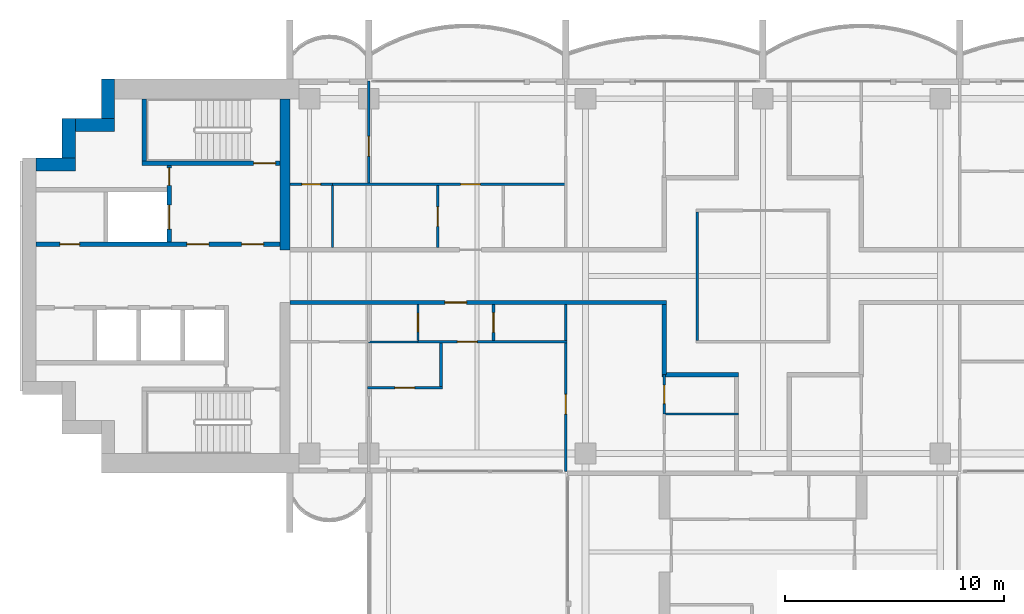
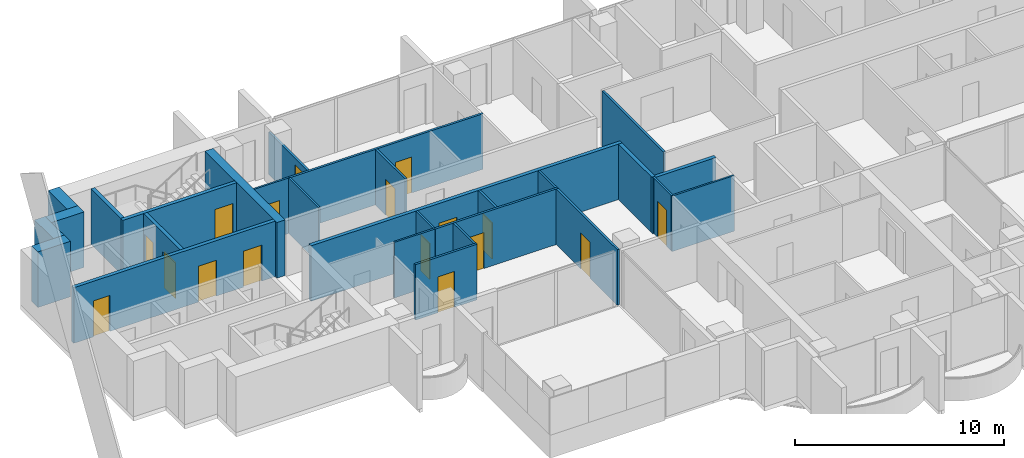
# One storey, part 9 of 17: 27 walls, 17 doors, 17 openings.
"""IFC4 building model written with IfcOpenShell, lengths in metres."""

import ifcopenshell
import ifcopenshell.guid

model = None  # the IFC model being written
_history = None  # IfcOwnerHistory: only IFC2X3 demands one
_inside = {}  # id of a spatial element -> (the spatial element, [elements in it])
_under = {}  # id of a project, library or spatial element -> (it, [spatial elements below it])
_declared = {}  # id of a project -> (the project, [libraries it declares])
_typed = {}  # id of a type object -> (the type object, [elements of that type])
_made_of = {}  # id of a material, layer set ... -> (it, [elements and type objects made of it])


def new_model(schema):
    """Start an empty IFC model of exactly this schema.

    Asked for "IFC4X3", IfcOpenShell would pick the latest addendum, in which some entities
    have other attributes; the version numbers below select the first issue.
    IFC2X3 requires an IfcOwnerHistory on every rooted entity: one is made here for all.
    """
    global model, _history
    if schema == "IFC4X3":
        model = ifcopenshell.file(schema_version=(4, 3, 0, 0))
    else:
        model = ifcopenshell.file(schema=schema)
    _inside.clear()
    _under.clear()
    _declared.clear()
    _typed.clear()
    _made_of.clear()
    _history = None
    if model.schema == "IFC2X3":
        org = make("IfcOrganization", Name="unknown")
        user = make(
            "IfcPersonAndOrganization",
            ThePerson=make("IfcPerson", FamilyName="unknown"),
            TheOrganization=org,
        )
        app = make(
            "IfcApplication",
            ApplicationDeveloper=org,
            Version="unknown",
            ApplicationFullName="unknown",
            ApplicationIdentifier="unknown",
        )
        _history = make(
            "IfcOwnerHistory",
            OwningUser=user,
            OwningApplication=app,
            ChangeAction="ADDED",
            CreationDate=0,
        )
    return model


def make(cls, **values):
    """One entity of the class cls with the attributes given. An attribute that is None is left unset."""
    return model.create_entity(
        cls, **{name: value for name, value in values.items() if value is not None}
    )


def rooted(cls, **values):
    """An entity with a GlobalId (a new one), such as an element, a storey or a relation."""
    return make(cls, GlobalId=ifcopenshell.guid.new(), OwnerHistory=_history, **values)


def si_unit(unit_type, name, prefix=None):
    """IfcSIUnit, for example si_unit("LENGTHUNIT", "METRE", prefix="MILLI")."""
    return make("IfcSIUnit", UnitType=unit_type, Prefix=prefix, Name=name)


def assignment(units):
    """IfcUnitAssignment: the units of a project."""
    return None if units is None else make("IfcUnitAssignment", Units=units)


def point(xyz):
    """IfcCartesianPoint."""
    return None if xyz is None else make("IfcCartesianPoint", Coordinates=xyz)


def direction(xyz):
    """IfcDirection."""
    return None if xyz is None else make("IfcDirection", DirectionRatios=xyz)


def frame(location, z_axis=None, x_axis=None):
    """IfcAxis2Placement3D, a coordinate frame: its origin and axes. An axis left out is left unset."""
    return make(
        "IfcAxis2Placement3D",
        Location=point(location),
        Axis=direction(z_axis),
        RefDirection=direction(x_axis),
    )


def frame_2d(location, x_axis=None):
    """IfcAxis2Placement2D, a coordinate frame in the plane: its origin and x axis."""
    return make(
        "IfcAxis2Placement2D", Location=point(location), RefDirection=direction(x_axis)
    )


def origin():
    """The frame at (0, 0, 0) with its axes left unset."""
    return frame((0.0, 0.0, 0.0))


def place(relative_to, where):
    """IfcLocalPlacement: puts the frame where relative to a parent placement (None: the world)."""
    return make(
        "IfcLocalPlacement", PlacementRelTo=relative_to, RelativePlacement=where
    )


def context(
    kind, dimensions, precision=None, world=None, true_north=None, identifier=None
):
    """IfcGeometricRepresentationContext, for example the 3D "Model" context."""
    return make(
        "IfcGeometricRepresentationContext",
        ContextIdentifier=identifier,
        ContextType=kind,
        CoordinateSpaceDimension=dimensions,
        Precision=precision,
        WorldCoordinateSystem=world,
        TrueNorth=true_north,
    )


def subcontext(parent, identifier, kind, view, scale=None):
    """IfcGeometricRepresentationSubContext, for example "Body" below "Model"."""
    return make(
        "IfcGeometricRepresentationSubContext",
        ContextIdentifier=identifier,
        ContextType=kind,
        ParentContext=parent,
        TargetScale=scale,
        TargetView=view,
    )


def project(units=None, contexts=None):
    """IfcProject with its units and contexts."""
    return rooted(
        "IfcProject",
        Name="project",
        RepresentationContexts=contexts,
        UnitsInContext=assignment(units),
    )


def spatial(cls, under=None, at=None, **own):
    """A site, building, storey or space (cls), placed at a placement, below another one or the project."""
    s = rooted(cls, ObjectPlacement=at, **own)
    if under is not None:
        _under.setdefault(under.id(), (under, []))[1].append(s)
    return s


def profile(cls, at=None, kind="AREA", **sizes):
    """A parametric profile (cls). Its sizes go by their IFC names, for example OverallWidth=200.0."""
    return make(cls, ProfileType=kind, Position=at, **sizes)


def rectangle(**sizes):
    """IfcRectangleProfileDef."""
    return profile("IfcRectangleProfileDef", **sizes)


def extrude(swept, where, along, depth):
    """IfcExtrudedAreaSolid: the profile swept, set in the frame where, extruded along a direction by depth."""
    return make(
        "IfcExtrudedAreaSolid",
        SweptArea=swept,
        Position=where,
        ExtrudedDirection=direction(along),
        Depth=depth,
    )


def shape(context_of_items, identifier, shape_type, items):
    """IfcShapeRepresentation: the items that make up one representation, for example the "Body"."""
    return make(
        "IfcShapeRepresentation",
        ContextOfItems=context_of_items,
        RepresentationIdentifier=identifier,
        RepresentationType=shape_type,
        Items=items,
    )


def material(Name=None, Category=None):
    """IfcMaterial."""
    return make("IfcMaterial", Name=Name, Category=Category)


def layer(
    of_material, thickness, ventilated=None, Name=None, Category=None, Priority=None
):
    """IfcMaterialLayer: one layer of a wall or slab, of a material (None: an air gap)."""
    return make(
        "IfcMaterialLayer",
        Material=of_material,
        LayerThickness=thickness,
        IsVentilated=ventilated,
        Name=Name,
        Category=Category,
        Priority=Priority,
    )


def layer_set(layers, Name=None):
    """IfcMaterialLayerSet."""
    return make("IfcMaterialLayerSet", MaterialLayers=layers, LayerSetName=Name)


def made_of(thing, what):
    """Note that an element or type object is made of a material, layer set ...; save() writes the relation."""
    if what is not None:
        _made_of.setdefault(what.id(), (what, []))[1].append(thing)
    return thing


def type_object(cls, material=None, **own):
    """A type object (cls), such as IfcWallType, which elements share."""
    return made_of(rooted(cls, **own), material)


def element(
    cls,
    number,
    at=None,
    inside=None,
    cuts=None,
    type_object=None,
    material=None,
    context=None,
    identifier="Body",
    shape_type=None,
    held_by="IfcProductDefinitionShape",
    body=None,
    shapes=None,
    **own,
):
    """One element of the class cls, such as IfcWall. Its Tag is "e" and its number.

    at: its placement. inside: the storey or other place that contains it. cuts: it is an
    opening in that element (IfcRelVoidsElement). A single representation is given by context,
    identifier, shape_type and body (its items); several are given by shapes. held_by: the class
    of the entity that holds the representations. save() writes the other relations.
    """
    e = rooted(cls, Tag="e%d" % number, ObjectPlacement=at, **own)
    if body is not None:
        shapes = [shape(context, identifier, shape_type, body)]
    if shapes is not None:
        e.Representation = make(held_by, Representations=shapes)
    if inside is not None:
        _inside.setdefault(inside.id(), (inside, []))[1].append(e)
    if cuts is not None:
        rooted(
            "IfcRelVoidsElement", RelatingBuildingElement=cuts, RelatedOpeningElement=e
        )
    if type_object is not None:
        _typed.setdefault(type_object.id(), (type_object, []))[1].append(e)
    return made_of(e, material)


def fill(opening, filler):
    """IfcRelFillsElement: the door or window that sits in an opening."""
    return rooted(
        "IfcRelFillsElement",
        RelatingOpeningElement=opening,
        RelatedBuildingElement=filler,
    )


def aggregate(whole, parts):
    """IfcRelAggregates: a whole, such as a stair, and the parts it consists of."""
    return rooted("IfcRelAggregates", RelatingObject=whole, RelatedObjects=parts)


def save(model, path):
    """Write the relations noted so far, then the file.

    IfcRelAggregates (storeys below a building ...), IfcRelContainedInSpatialStructure (elements
    in a storey), IfcRelDefinesByType, IfcRelAssociatesMaterial and IfcRelDeclares: one each for
    every whole, place, type object, material and project.
    """
    for whole, parts in _under.values():
        aggregate(whole, parts)
    for where, things in _inside.values():
        rooted(
            "IfcRelContainedInSpatialStructure",
            RelatedElements=things,
            RelatingStructure=where,
        )
    for kind, things in _typed.values():
        rooted("IfcRelDefinesByType", RelatedObjects=things, RelatingType=kind)
    for what, things in _made_of.values():
        rooted("IfcRelAssociatesMaterial", RelatedObjects=things, RelatingMaterial=what)
    for by, libraries in _declared.values():
        rooted("IfcRelDeclares", RelatingContext=by, RelatedDefinitions=libraries)
    model.write(path)


model = new_model("IFC4")

# Units and contexts
model_context = context("Model", 3, precision=1e-05, world=origin(), true_north=direction((0.0, 1.0)))
body_context = subcontext(model_context, "Body", "Model", "MODEL_VIEW")
ifc_project = project(units=[si_unit("LENGTHUNIT", "METRE"), si_unit("AREAUNIT", "SQUARE_METRE"), si_unit("VOLUMEUNIT", "CUBIC_METRE"), si_unit("PLANEANGLEUNIT", "RADIAN"), si_unit("MASSUNIT", "GRAM", prefix="KILO")], contexts=[model_context])

# Site, building, storey
site_placement = place(None, origin())
site = spatial("IfcSite", under=ifc_project, at=site_placement, CompositionType="ELEMENT")
building_placement = place(site_placement, origin())
building = spatial("IfcBuilding", under=site, at=building_placement, Name="Perihelion Cross Residences", CompositionType="ELEMENT")
storey_placement = place(building_placement, frame((0.0, 0.0, 205.10009765625)))
storey = spatial("IfcBuildingStorey", under=building, at=storey_placement, Name="L51", CompositionType="ELEMENT", Elevation=205.10009765625)

# Wall, opening, door
ifc_material_1 = material(Name="Plasterboard partition")
ifc_layer_1 = layer(ifc_material_1, 0.199951171875)
ifc_layer_set_1 = layer_set([ifc_layer_1], Name="Apartment separation wall 200")
wall_type_1 = type_object("IfcWallType", Name="Apartment separation wall 200", PredefinedType="PARTITIONING", material=ifc_layer_set_1)
wall_1_placement = place(storey_placement, frame((-4.39990234375, -1.199951171875, 0.0), z_axis=(0.0, 0.0, 1.0), x_axis=(-1.0, 0.0, 0.0)))
wall_1 = element("IfcWall", 1, at=wall_1_placement, inside=storey, type_object=wall_type_1, Name="Partition L51 W017", PredefinedType="PARTITIONING", context=body_context, shape_type="SweptSolid", body=[
    extrude(rectangle(XDim=17.2001953125, YDim=0.199951171875, at=frame_2d((8.60009765625, 0.0))), origin(), (0.0, 0.0, 1.0), 3.25),
])
opening_1_placement = place(wall_1_placement, frame((9.125, 0.0, 0.0)))
opening_1 = element("IfcOpeningElement", 2, at=opening_1_placement, cuts=wall_1, Name="Opening L51.A41", PredefinedType="OPENING", context=body_context, shape_type="SweptSolid", body=[
    extrude(rectangle(XDim=1.0, YDim=2.10009765625, at=frame_2d((0.5, 1.050048828125))), frame((0.0, 0.10986328125, 0.0), z_axis=(0.0, -1.0, 0.0), x_axis=(1.0, 0.0, 0.0)), (0.0, 0.0, 1.0), 0.219970703125),
])
ifc_material_2 = material(Name="Timber door leaf", Category="wood")
door_type_1 = type_object("IfcDoorType", Name="Flat entrance door 1000 x 2100", OperationType="SINGLE_SWING_LEFT", PredefinedType="DOOR", material=ifc_material_2)
door_1_placement = place(opening_1_placement, origin())
door_1 = element("IfcDoor", 3, at=door_1_placement, inside=storey, type_object=door_type_1, Name="Door L51.A41", OperationType="SINGLE_SWING_RIGHT", OverallHeight=2.10009765625, OverallWidth=1.0, PredefinedType="DOOR", context=body_context, shape_type="SweptSolid", body=[
    extrude(rectangle(XDim=1.0, YDim=2.10009765625, at=frame_2d((0.5, 1.050048828125))), frame((0.0, 0.02490234375, 0.0), z_axis=(0.0, -1.0, 0.0), x_axis=(1.0, 0.0, 0.0)), (0.0, 0.0, 1.0), 0.050048828125),
])
fill(opening_1, door_1)

# Walls
wall_2_placement = place(storey_placement, frame((-4.5, -4.5, 0.0), z_axis=(0.0, 0.0, 1.0), x_axis=(0.0, 1.0, 0.0)))
element("IfcWall", 4, at=wall_2_placement, inside=storey, type_object=wall_type_1, Name="Partition L51 W018", PredefinedType="PARTITIONING", context=body_context, shape_type="SweptSolid", body=[
    extrude(rectangle(XDim=3.199951171875, YDim=0.199951171875, at=frame_2d((1.60009765625, 0.0))), origin(), (0.0, 0.0, 1.0), 3.25),
])
wall_3_placement = place(storey_placement, frame((-1.10009765625, -4.5, 0.0), z_axis=(0.0, 0.0, 1.0), x_axis=(-1.0, 0.0, 0.0)))
element("IfcWall", 5, at=wall_3_placement, inside=storey, type_object=wall_type_1, Name="Partition L51 W020", PredefinedType="PARTITIONING", context=body_context, shape_type="SweptSolid", body=[
    extrude(rectangle(XDim=3.5, YDim=0.199951171875, at=frame_2d((1.75, 0.0))), origin(), (0.0, 0.0, 1.0), 3.25),
])
ifc_material_3 = material(Name="Concrete C60/75", Category="concrete")
ifc_layer_2 = layer(ifc_material_3, 0.449951171875)
ifc_layer_set_2 = layer_set([ifc_layer_2], Name="Core wall, inner 450")
wall_type_2 = type_object("IfcWallType", Name="Core wall, inner 450", PredefinedType="SHEAR", material=ifc_layer_set_2)
wall_4_placement = place(storey_placement, frame((-21.824951171875, 1.199951171875, 0.0), z_axis=(0.0, 0.0, 1.0), x_axis=(0.0, 1.0, 0.0)))
element("IfcWall", 6, at=wall_4_placement, inside=storey, type_object=wall_type_2, Name="West core core wall, inner", PredefinedType="SHEAR", context=body_context, shape_type="SweptSolid", body=[
    extrude(rectangle(XDim=6.900146484375, YDim=0.449951171875, at=frame_2d((3.4501953125, 0.0))), origin(), (0.0, 0.0, 1.0), 3.25),
])
ifc_material_4 = material(Name="Concrete C60/75", Category="concrete")
ifc_layer_3 = layer(ifc_material_4, 0.60009765625)
ifc_layer_set_3 = layer_set([ifc_layer_3], Name="Core wall, outer 600")
wall_type_3 = type_object("IfcWallType", Name="Core wall, outer 600", PredefinedType="SHEAR", material=ifc_layer_set_3)
for number, where, z_axis, x_axis, name in (
    (7, (-33.199951171875, 5.10009765625, 0.0), (0.0, 0.0, 1.0), (1.0, 0.0, 0.0), "West core core wall, outer"),
    (8, (-31.699951171875, 5.39990234375, 0.0), (0.0, 0.0, 1.0), (0.0, 1.0, 0.0), "West core core wall, outer"),
):
    element("IfcWall", number, at=place(storey_placement, frame(where, z_axis=z_axis, x_axis=x_axis)), inside=storey, type_object=wall_type_3, Name=name, PredefinedType="SHEAR", context=body_context, shape_type="SweptSolid", body=[
        extrude(rectangle(XDim=1.800048828125, YDim=0.60009765625, at=frame_2d((0.89990234375, 0.0))), origin(), (0.0, 0.0, 1.0), 3.25),
    ])
wall_5_placement = place(storey_placement, frame((-31.39990234375, 6.89990234375, 0.0), z_axis=(0.0, 0.0, 1.0), x_axis=(1.0, 0.0, 0.0)))
element("IfcWall", 9, at=wall_5_placement, inside=storey, type_object=wall_type_3, Name="West core core wall, outer", PredefinedType="SHEAR", context=body_context, shape_type="SweptSolid", body=[
    extrude(rectangle(XDim=1.7998046875, YDim=0.60009765625, at=frame_2d((0.89990234375, 0.0))), origin(), (0.0, 0.0, 1.0), 3.25),
])
wall_6_placement = place(storey_placement, frame((-29.89990234375, 7.199951171875, 0.0), z_axis=(0.0, 0.0, 1.0), x_axis=(0.0, 1.0, 0.0)))
element("IfcWall", 10, at=wall_6_placement, inside=storey, type_object=wall_type_3, Name="West core core wall, outer", PredefinedType="SHEAR", context=body_context, shape_type="SweptSolid", body=[
    extrude(rectangle(XDim=1.800048828125, YDim=0.60009765625, at=frame_2d((0.89990234375, 0.0))), origin(), (0.0, 0.0, 1.0), 3.25),
])
ifc_material_5 = material(Name="Plasterboard partition")
ifc_layer_4 = layer(ifc_material_5, 0.1201171875)
ifc_layer_set_4 = layer_set([ifc_layer_4], Name="Partition wall 120")
wall_type_4 = type_object("IfcWallType", Name="Partition wall 120", PredefinedType="PARTITIONING", material=ifc_layer_set_4)
wall_7_placement = place(storey_placement, frame((-3.0, 2.93994140625, 0.0), z_axis=(0.0, 0.0, 1.0), x_axis=(0.0, -1.0, 0.0)))
element("IfcWall", 11, at=wall_7_placement, inside=storey, type_object=wall_type_4, Name="Partition L51 W004", PredefinedType="PARTITIONING", context=body_context, shape_type="SweptSolid", body=[
    extrude(rectangle(XDim=5.8798828125, YDim=0.1201171875, at=frame_2d((2.93994140625, 0.0))), origin(), (0.0, 0.0, 1.0), 3.25),
])

# Wall, opening, door
wall_8_placement = place(storey_placement, frame((-19.64990234375, 4.199951171875, 0.0), z_axis=(0.0, 0.0, 1.0), x_axis=(1.0, 0.0, 0.0)))
wall_8 = element("IfcWall", 12, at=wall_8_placement, inside=storey, type_object=wall_type_4, Name="Partition L51 W039", PredefinedType="PARTITIONING", context=body_context, shape_type="SweptSolid", body=[
    extrude(rectangle(XDim=10.7099609375, YDim=0.1201171875, at=frame_2d((5.35498046875, 0.0))), origin(), (0.0, 0.0, 1.0), 3.25),
])
opening_2_placement = place(wall_8_placement, frame((5.85009765625, 0.0, 0.0)))
opening_2 = element("IfcOpeningElement", 13, at=opening_2_placement, cuts=wall_8, Name="Opening L51.A21", PredefinedType="OPENING", context=body_context, shape_type="SweptSolid", body=[
    extrude(rectangle(XDim=0.89990234375, YDim=2.10009765625, at=frame_2d((0.449951171875, 1.050048828125))), frame((0.0, 0.070068359375, 0.0), z_axis=(0.0, -1.0, 0.0), x_axis=(1.0, 0.0, 0.0)), (0.0, 0.0, 1.0), 0.14013671875),
])
ifc_material_6 = material(Name="Timber door leaf", Category="wood")
door_type_2 = type_object("IfcDoorType", Name="Interior room door 900 x 2100", OperationType="SINGLE_SWING_LEFT", PredefinedType="DOOR", material=ifc_material_6)
door_2_placement = place(opening_2_placement, origin())
door_2 = element("IfcDoor", 14, at=door_2_placement, inside=storey, type_object=door_type_2, Name="Door L51.A21", OperationType="SINGLE_SWING_LEFT", OverallHeight=2.10009765625, OverallWidth=0.89990234375, PredefinedType="DOOR", context=body_context, shape_type="SweptSolid", body=[
    extrude(rectangle(XDim=0.89990234375, YDim=2.10009765625, at=frame_2d((0.449951171875, 1.050048828125))), frame((0.0, 0.02490234375, 0.0), z_axis=(0.0, -1.0, 0.0), x_axis=(1.0, 0.0, 0.0)), (0.0, 0.0, 1.0), 0.050048828125),
])
fill(opening_2, door_2)

wall_9_placement = place(storey_placement, frame((-14.85009765625, 1.300048828125, 0.0), z_axis=(0.0, 0.0, 1.0), x_axis=(0.0, 1.0, 0.0)))
wall_9 = element("IfcWall", 15, at=wall_9_placement, inside=storey, type_object=wall_type_4, Name="Partition L51 W041", PredefinedType="PARTITIONING", context=body_context, shape_type="SweptSolid", body=[
    extrude(rectangle(XDim=2.83984375, YDim=0.1201171875, at=frame_2d((1.419921875, 0.0))), origin(), (0.0, 0.0, 1.0), 3.25),
])
opening_3_placement = place(wall_9_placement, frame((0.969970703125, 0.0, 0.0)))
opening_3 = element("IfcOpeningElement", 16, at=opening_3_placement, cuts=wall_9, Name="Opening L51.A18", PredefinedType="OPENING", context=body_context, shape_type="SweptSolid", body=[
    extrude(rectangle(XDim=0.89990234375, YDim=2.10009765625, at=frame_2d((0.449951171875, 1.050048828125))), frame((0.0, 0.070068359375, 0.0), z_axis=(0.0, -1.0, 0.0), x_axis=(1.0, 0.0, 0.0)), (0.0, 0.0, 1.0), 0.14013671875),
])
door_3_placement = place(opening_3_placement, origin())
door_3 = element("IfcDoor", 17, at=door_3_placement, inside=storey, type_object=door_type_2, Name="Door L51.A18", OperationType="SINGLE_SWING_LEFT", OverallHeight=2.10009765625, OverallWidth=0.89990234375, PredefinedType="DOOR", context=body_context, shape_type="SweptSolid", body=[
    extrude(rectangle(XDim=0.89990234375, YDim=2.10009765625, at=frame_2d((0.449951171875, 1.050048828125))), frame((0.0, 0.02490234375, 0.0), z_axis=(0.0, -1.0, 0.0), x_axis=(1.0, 0.0, 0.0)), (0.0, 0.0, 1.0), 0.050048828125),
])
fill(opening_3, door_3)

wall_10_placement = place(storey_placement, frame((-18.0, 4.260009765625, 0.0), z_axis=(0.0, 0.0, 1.0), x_axis=(0.0, 1.0, 0.0)))
wall_10 = element("IfcWall", 18, at=wall_10_placement, inside=storey, type_object=wall_type_4, Name="Partition L51 W044", PredefinedType="PARTITIONING", context=body_context, shape_type="SweptSolid", body=[
    extrude(rectangle(XDim=4.659912109375, YDim=0.1201171875, at=frame_2d((2.330078125, 0.0))), origin(), (0.0, 0.0, 1.0), 2.47998046875),
])
opening_4_placement = place(wall_10_placement, frame((1.219970703125, 0.0, 0.0)))
opening_4 = element("IfcOpeningElement", 19, at=opening_4_placement, cuts=wall_10, Name="Opening L51.A16", PredefinedType="OPENING", context=body_context, shape_type="SweptSolid", body=[
    extrude(rectangle(XDim=0.89990234375, YDim=2.10009765625, at=frame_2d((0.449951171875, 1.050048828125))), frame((0.0, 0.070068359375, 0.0), z_axis=(0.0, -1.0, 0.0), x_axis=(1.0, 0.0, 0.0)), (0.0, 0.0, 1.0), 0.14013671875),
])
door_4_placement = place(opening_4_placement, origin())
door_4 = element("IfcDoor", 20, at=door_4_placement, inside=storey, type_object=door_type_2, Name="Door L51.A16", OperationType="SINGLE_SWING_LEFT", OverallHeight=2.10009765625, OverallWidth=0.89990234375, PredefinedType="DOOR", context=body_context, shape_type="SweptSolid", body=[
    extrude(rectangle(XDim=0.89990234375, YDim=2.10009765625, at=frame_2d((0.449951171875, 1.050048828125))), frame((0.0, 0.02490234375, 0.0), z_axis=(0.0, -1.0, 0.0), x_axis=(1.0, 0.0, 0.0)), (0.0, 0.0, 1.0), 0.050048828125),
])
fill(opening_4, door_4)

wall_11_placement = place(storey_placement, frame((-12.300048828125, -2.93994140625, 0.0), z_axis=(0.0, 0.0, 1.0), x_axis=(0.0, 1.0, 0.0)))
wall_11 = element("IfcWall", 21, at=wall_11_placement, inside=storey, type_object=wall_type_4, Name="Partition L51 W046", PredefinedType="PARTITIONING", context=body_context, shape_type="SweptSolid", body=[
    extrude(rectangle(XDim=1.639892578125, YDim=0.1201171875, at=frame_2d((0.81982421875, 0.0))), origin(), (0.0, 0.0, 1.0), 3.25),
])
opening_5_placement = place(wall_11_placement, frame((0.3701171875, 0.0, 0.0)))
opening_5 = element("IfcOpeningElement", 22, at=opening_5_placement, cuts=wall_11, Name="Opening L51.A25", PredefinedType="OPENING", context=body_context, shape_type="SweptSolid", body=[
    extrude(rectangle(XDim=0.89990234375, YDim=2.10009765625, at=frame_2d((0.449951171875, 1.050048828125))), frame((0.0, 0.070068359375, 0.0), z_axis=(0.0, -1.0, 0.0), x_axis=(1.0, 0.0, 0.0)), (0.0, 0.0, 1.0), 0.14013671875),
])
door_5_placement = place(opening_5_placement, origin())
door_5 = element("IfcDoor", 23, at=door_5_placement, inside=storey, type_object=door_type_2, Name="Door L51.A25", OperationType="SINGLE_SWING_LEFT", OverallHeight=2.10009765625, OverallWidth=0.89990234375, PredefinedType="DOOR", context=body_context, shape_type="SweptSolid", body=[
    extrude(rectangle(XDim=0.89990234375, YDim=2.10009765625, at=frame_2d((0.449951171875, 1.050048828125))), frame((0.0, 0.02490234375, 0.0), z_axis=(0.0, -1.0, 0.0), x_axis=(1.0, 0.0, 0.0)), (0.0, 0.0, 1.0), 0.050048828125),
])
fill(opening_5, door_5)

wall_12_placement = place(storey_placement, frame((-8.93994140625, -3.0, 0.0), z_axis=(0.0, 0.0, 1.0), x_axis=(-1.0, 0.0, 0.0)))
wall_12 = element("IfcWall", 24, at=wall_12_placement, inside=storey, type_object=wall_type_4, Name="Partition L51 W047", PredefinedType="PARTITIONING", context=body_context, shape_type="SweptSolid", body=[
    extrude(rectangle(XDim=6.81005859375, YDim=0.1201171875, at=frame_2d((3.405029296875, 0.0))), origin(), (0.0, 0.0, 1.0), 3.25),
])
opening_6_placement = place(wall_12_placement, frame((4.110107421875, 0.0, 0.0)))
opening_6 = element("IfcOpeningElement", 25, at=opening_6_placement, cuts=wall_12, Name="Opening L51.A26", PredefinedType="OPENING", context=body_context, shape_type="SweptSolid", body=[
    extrude(rectangle(XDim=0.89990234375, YDim=2.10009765625, at=frame_2d((0.449951171875, 1.050048828125))), frame((0.0, 0.070068359375, 0.0), z_axis=(0.0, -1.0, 0.0), x_axis=(1.0, 0.0, 0.0)), (0.0, 0.0, 1.0), 0.14013671875),
])
door_6_placement = place(opening_6_placement, origin())
door_6 = element("IfcDoor", 26, at=door_6_placement, inside=storey, type_object=door_type_2, Name="Door L51.A26", OperationType="SINGLE_SWING_LEFT", OverallHeight=2.10009765625, OverallWidth=0.89990234375, PredefinedType="DOOR", context=body_context, shape_type="SweptSolid", body=[
    extrude(rectangle(XDim=0.89990234375, YDim=2.10009765625, at=frame_2d((0.449951171875, 1.050048828125))), frame((0.0, 0.02490234375, 0.0), z_axis=(0.0, -1.0, 0.0), x_axis=(1.0, 0.0, 0.0)), (0.0, 0.0, 1.0), 0.050048828125),
])
fill(opening_6, door_6)

wall_13_placement = place(storey_placement, frame((-9.0, -1.300048828125, 0.0), z_axis=(0.0, 0.0, 1.0), x_axis=(0.0, -1.0, 0.0)))
wall_13 = element("IfcWall", 27, at=wall_13_placement, inside=storey, type_object=wall_type_4, Name="Partition L51 W048", PredefinedType="PARTITIONING", context=body_context, shape_type="SweptSolid", body=[
    extrude(rectangle(XDim=7.619873046875, YDim=0.1201171875, at=frame_2d((3.81005859375, 0.0))), origin(), (0.0, 0.0, 1.0), 3.25),
])
opening_7_placement = place(wall_13_placement, frame((4.10009765625, 0.0, 0.0)))
opening_7 = element("IfcOpeningElement", 28, at=opening_7_placement, cuts=wall_13, Name="Opening L51.A27", PredefinedType="OPENING", context=body_context, shape_type="SweptSolid", body=[
    extrude(rectangle(XDim=0.89990234375, YDim=2.10009765625, at=frame_2d((0.449951171875, 1.050048828125))), frame((0.0, 0.070068359375, 0.0), z_axis=(0.0, -1.0, 0.0), x_axis=(1.0, 0.0, 0.0)), (0.0, 0.0, 1.0), 0.14013671875),
])
door_7_placement = place(opening_7_placement, origin())
door_7 = element("IfcDoor", 29, at=door_7_placement, inside=storey, type_object=door_type_2, Name="Door L51.A27", OperationType="SINGLE_SWING_LEFT", OverallHeight=2.10009765625, OverallWidth=0.89990234375, PredefinedType="DOOR", context=body_context, shape_type="SweptSolid", body=[
    extrude(rectangle(XDim=0.89990234375, YDim=2.10009765625, at=frame_2d((0.449951171875, 1.050048828125))), frame((0.0, 0.02490234375, 0.0), z_axis=(0.0, -1.0, 0.0), x_axis=(1.0, 0.0, 0.0)), (0.0, 0.0, 1.0), 0.050048828125),
])
fill(opening_7, door_7)

wall_14_placement = place(storey_placement, frame((-18.06005859375, -5.10009765625, 0.0), z_axis=(0.0, 0.0, 1.0), x_axis=(1.0, 0.0, 0.0)))
wall_14 = element("IfcWall", 30, at=wall_14_placement, inside=storey, type_object=wall_type_4, Name="Partition L51 W053", PredefinedType="PARTITIONING", context=body_context, shape_type="SweptSolid", body=[
    extrude(rectangle(XDim=3.420166015625, YDim=0.1201171875, at=frame_2d((1.7099609375, 0.0))), origin(), (0.0, 0.0, 1.0), 3.25),
])
opening_8_placement = place(wall_14_placement, frame((1.260009765625, 0.0, 0.0)))
opening_8 = element("IfcOpeningElement", 31, at=opening_8_placement, cuts=wall_14, Name="Opening L51.A24", PredefinedType="OPENING", context=body_context, shape_type="SweptSolid", body=[
    extrude(rectangle(XDim=0.89990234375, YDim=2.10009765625, at=frame_2d((0.449951171875, 1.050048828125))), frame((0.0, 0.070068359375, 0.0), z_axis=(0.0, -1.0, 0.0), x_axis=(1.0, 0.0, 0.0)), (0.0, 0.0, 1.0), 0.14013671875),
])
door_8_placement = place(opening_8_placement, origin())
door_8 = element("IfcDoor", 32, at=door_8_placement, inside=storey, type_object=door_type_2, Name="Door L51.A24", OperationType="SINGLE_SWING_RIGHT", OverallHeight=2.10009765625, OverallWidth=0.89990234375, PredefinedType="DOOR", context=body_context, shape_type="SweptSolid", body=[
    extrude(rectangle(XDim=0.89990234375, YDim=2.10009765625, at=frame_2d((0.449951171875, 1.050048828125))), frame((0.0, 0.02490234375, 0.0), z_axis=(0.0, -1.0, 0.0), x_axis=(1.0, 0.0, 0.0)), (0.0, 0.0, 1.0), 0.050048828125),
])
fill(opening_8, door_8)

# Wall
wall_15_placement = place(storey_placement, frame((-14.699951171875, -5.0400390625, 0.0), z_axis=(0.0, 0.0, 1.0), x_axis=(0.0, 1.0, 0.0)))
element("IfcWall", 33, at=wall_15_placement, inside=storey, type_object=wall_type_4, Name="Partition L51 W054", PredefinedType="PARTITIONING", context=body_context, shape_type="SweptSolid", body=[
    extrude(rectangle(XDim=1.97998046875, YDim=0.1201171875, at=frame_2d((0.989990234375, 0.0))), origin(), (0.0, 0.0, 1.0), 3.25),
])

# Wall, openings, doors
ifc_material_7 = material(Name="Concrete C50/60", Category="concrete")
ifc_layer_5 = layer(ifc_material_7, 0.199951171875)
ifc_layer_set_5 = layer_set([ifc_layer_5], Name="Shaft wall 200")
wall_type_5 = type_object("IfcWallType", Name="Shaft wall 200", PredefinedType="SOLIDWALL", material=ifc_layer_set_5)
wall_16_placement = place(storey_placement, frame((-33.199951171875, 1.449951171875, 0.0), z_axis=(0.0, 0.0, 1.0), x_axis=(1.0, 0.0, 0.0)))
wall_16 = element("IfcWall", 34, at=wall_16_placement, inside=storey, type_object=wall_type_5, Name="West core shaft wall", PredefinedType="SOLIDWALL", context=body_context, shape_type="SweptSolid", body=[
    extrude(rectangle(XDim=11.14990234375, YDim=0.199951171875, at=frame_2d((5.574951171875, 0.0))), origin(), (0.0, 0.0, 1.0), 3.25),
])
opening_9_placement = place(wall_16_placement, frame((9.39990234375, 0.0, 0.0)))
opening_9 = element("IfcOpeningElement", 35, at=opening_9_placement, cuts=wall_16, Name="Opening L51.C19", PredefinedType="OPENING", context=body_context, shape_type="SweptSolid", body=[
    extrude(rectangle(XDim=1.0, YDim=2.10009765625, at=frame_2d((0.5, 1.050048828125))), frame((0.0, 0.10986328125, 0.0), z_axis=(0.0, -1.0, 0.0), x_axis=(1.0, 0.0, 0.0)), (0.0, 0.0, 1.0), 0.219970703125),
])
opening_10_placement = place(wall_16_placement, frame((6.89990234375, 0.0, 0.0)))
opening_10 = element("IfcOpeningElement", 36, at=opening_10_placement, cuts=wall_16, Name="Opening L51.C21", PredefinedType="OPENING", context=body_context, shape_type="SweptSolid", body=[
    extrude(rectangle(XDim=1.0, YDim=2.10009765625, at=frame_2d((0.5, 1.050048828125))), frame((0.0, 0.10986328125, 0.0), z_axis=(0.0, -1.0, 0.0), x_axis=(1.0, 0.0, 0.0)), (0.0, 0.0, 1.0), 0.219970703125),
])
opening_11_placement = place(wall_16_placement, frame((1.10009765625, 0.0, 0.0)))
opening_11 = element("IfcOpeningElement", 37, at=opening_11_placement, cuts=wall_16, Name="Opening L51.C23", PredefinedType="OPENING", context=body_context, shape_type="SweptSolid", body=[
    extrude(rectangle(XDim=0.89990234375, YDim=2.10009765625, at=frame_2d((0.449951171875, 1.050048828125))), frame((0.0, 0.10986328125, 0.0), z_axis=(0.0, -1.0, 0.0), x_axis=(1.0, 0.0, 0.0)), (0.0, 0.0, 1.0), 0.219970703125),
])
ifc_material_8 = material(Name="Steel, powder coated", Category="steel")
door_type_3 = type_object("IfcDoorType", Name="Lobby door 1000", OperationType="SINGLE_SWING_LEFT", PredefinedType="DOOR", material=ifc_material_8)
door_9_placement = place(opening_9_placement, origin())
door_9 = element("IfcDoor", 38, at=door_9_placement, inside=storey, type_object=door_type_3, Name="West core firefighting lobby door", OperationType="SINGLE_SWING_LEFT", OverallHeight=2.10009765625, OverallWidth=1.0, PredefinedType="DOOR", context=body_context, shape_type="SweptSolid", body=[
    extrude(rectangle(XDim=1.0, YDim=2.10009765625, at=frame_2d((0.5, 1.050048828125))), frame((0.0, 0.02490234375, 0.0), z_axis=(0.0, -1.0, 0.0), x_axis=(1.0, 0.0, 0.0)), (0.0, 0.0, 1.0), 0.050048828125),
])
fill(opening_9, door_9)
door_10_placement = place(opening_10_placement, origin())
door_10 = element("IfcDoor", 39, at=door_10_placement, inside=storey, type_object=door_type_3, Name="West core firefighting lobby door", OperationType="SINGLE_SWING_LEFT", OverallHeight=2.10009765625, OverallWidth=1.0, PredefinedType="DOOR", context=body_context, shape_type="SweptSolid", body=[
    extrude(rectangle(XDim=1.0, YDim=2.10009765625, at=frame_2d((0.5, 1.050048828125))), frame((0.0, 0.02490234375, 0.0), z_axis=(0.0, -1.0, 0.0), x_axis=(1.0, 0.0, 0.0)), (0.0, 0.0, 1.0), 0.050048828125),
])
fill(opening_10, door_10)
ifc_material_9 = material(Name="Steel, powder coated", Category="steel")
door_type_4 = type_object("IfcDoorType", Name="Service room door 900", OperationType="SINGLE_SWING_LEFT", PredefinedType="DOOR", material=ifc_material_9)
door_11_placement = place(opening_11_placement, origin())
door_11 = element("IfcDoor", 40, at=door_11_placement, inside=storey, type_object=door_type_4, Name="West core service room door", OperationType="SINGLE_SWING_LEFT", OverallHeight=2.10009765625, OverallWidth=0.89990234375, PredefinedType="DOOR", context=body_context, shape_type="SweptSolid", body=[
    extrude(rectangle(XDim=0.89990234375, YDim=2.10009765625, at=frame_2d((0.449951171875, 1.050048828125))), frame((0.0, 0.02490234375, 0.0), z_axis=(0.0, -1.0, 0.0), x_axis=(1.0, 0.0, 0.0)), (0.0, 0.0, 1.0), 0.050048828125),
])
fill(opening_11, door_11)

wall_17_placement = place(storey_placement, frame((-27.10009765625, 1.550048828125, 0.0), z_axis=(0.0, 0.0, 1.0), x_axis=(0.0, 1.0, 0.0)))
wall_17 = element("IfcWall", 41, at=wall_17_placement, inside=storey, type_object=wall_type_5, Name="West core shaft wall", PredefinedType="SOLIDWALL", context=body_context, shape_type="SweptSolid", body=[
    extrude(rectangle(XDim=3.5, YDim=0.199951171875, at=frame_2d((1.75, 0.0))), origin(), (0.0, 0.0, 1.0), 3.25),
])
opening_12_placement = place(wall_17_placement, frame((0.60009765625, 0.0, 0.0)))
opening_12 = element("IfcOpeningElement", 42, at=opening_12_placement, cuts=wall_17, Name="Opening L51.C14", PredefinedType="OPENING", context=body_context, shape_type="SweptSolid", body=[
    extrude(rectangle(XDim=1.10009765625, YDim=2.10009765625, at=frame_2d((0.550048828125, 1.050048828125))), frame((0.0, 0.10986328125, 0.0), z_axis=(0.0, -1.0, 0.0), x_axis=(1.0, 0.0, 0.0)), (0.0, 0.0, 1.0), 0.219970703125),
])
opening_13_placement = place(wall_17_placement, frame((2.60009765625, 0.0, 0.0)))
opening_13 = element("IfcOpeningElement", 43, at=opening_13_placement, cuts=wall_17, Name="Opening L51.C22", PredefinedType="OPENING", context=body_context, shape_type="SweptSolid", body=[
    extrude(rectangle(XDim=0.800048828125, YDim=2.10009765625, at=frame_2d((0.39990234375, 1.050048828125))), frame((0.0, 0.10986328125, 0.0), z_axis=(0.0, -1.0, 0.0), x_axis=(1.0, 0.0, 0.0)), (0.0, 0.0, 1.0), 0.219970703125),
])
ifc_material_10 = material(Name="Stainless steel", Category="steel")
door_type_5 = type_object("IfcDoorType", Name="Landing door, firefighting lift 1100", OperationType="DOUBLE_DOOR_SLIDING", PredefinedType="DOOR", material=ifc_material_10)
door_12_placement = place(opening_12_placement, origin())
door_12 = element("IfcDoor", 44, at=door_12_placement, inside=storey, type_object=door_type_5, Name="Landing door, West core firefighting and service lift", OperationType="DOUBLE_DOOR_SLIDING", OverallHeight=2.10009765625, OverallWidth=1.10009765625, PredefinedType="DOOR", context=body_context, shape_type="SweptSolid", body=[
    extrude(rectangle(XDim=1.10009765625, YDim=2.10009765625, at=frame_2d((0.550048828125, 1.050048828125))), frame((0.0, 0.02490234375, 0.0), z_axis=(0.0, -1.0, 0.0), x_axis=(1.0, 0.0, 0.0)), (0.0, 0.0, 1.0), 0.050048828125),
])
fill(opening_12, door_12)
ifc_material_11 = material(Name="Steel, powder coated", Category="steel")
door_type_6 = type_object("IfcDoorType", Name="Riser door 800", OperationType="SINGLE_SWING_LEFT", PredefinedType="DOOR", material=ifc_material_11)
door_13_placement = place(opening_13_placement, origin())
door_13 = element("IfcDoor", 45, at=door_13_placement, inside=storey, type_object=door_type_6, Name="West core riser door", OperationType="SINGLE_SWING_LEFT", OverallHeight=2.10009765625, OverallWidth=0.800048828125, PredefinedType="DOOR", context=body_context, shape_type="SweptSolid", body=[
    extrude(rectangle(XDim=0.800048828125, YDim=2.10009765625, at=frame_2d((0.39990234375, 1.050048828125))), frame((0.0, 0.02490234375, 0.0), z_axis=(0.0, -1.0, 0.0), x_axis=(1.0, 0.0, 0.0)), (0.0, 0.0, 1.0), 0.050048828125),
])
fill(opening_13, door_13)

# Wall, opening, door
ifc_material_12 = material(Name="Concrete C50/60", Category="concrete")
ifc_layer_6 = layer(ifc_material_12, 0.199951171875)
ifc_layer_set_6 = layer_set([ifc_layer_6], Name="Stair wall 200")
wall_type_6 = type_object("IfcWallType", Name="Stair wall 200", PredefinedType="SOLIDWALL", material=ifc_layer_set_6)
wall_18_placement = place(storey_placement, frame((-28.35009765625, 5.14990234375, 0.0), z_axis=(0.0, 0.0, 1.0), x_axis=(1.0, 0.0, 0.0)))
wall_18 = element("IfcWall", 46, at=wall_18_placement, inside=storey, type_object=wall_type_6, Name="West core stair wall", PredefinedType="SOLIDWALL", context=body_context, shape_type="SweptSolid", body=[
    extrude(rectangle(XDim=6.300048828125, YDim=0.199951171875, at=frame_2d((3.14990234375, 0.0))), origin(), (0.0, 0.0, 1.0), 3.25),
])
opening_14_placement = place(wall_18_placement, frame((5.10009765625, 0.0, 0.0)))
opening_14 = element("IfcOpeningElement", 47, at=opening_14_placement, cuts=wall_18, Name="Opening L51.C18", PredefinedType="OPENING", context=body_context, shape_type="SweptSolid", body=[
    extrude(rectangle(XDim=1.0, YDim=2.10009765625, at=frame_2d((0.5, 1.050048828125))), frame((0.0, 0.10986328125, 0.0), z_axis=(0.0, -1.0, 0.0), x_axis=(1.0, 0.0, 0.0)), (0.0, 0.0, 1.0), 0.219970703125),
])
ifc_material_13 = material(Name="Steel, powder coated", Category="steel")
door_type_7 = type_object("IfcDoorType", Name="Stair door 1000", OperationType="SINGLE_SWING_LEFT", PredefinedType="DOOR", material=ifc_material_13)
door_14_placement = place(opening_14_placement, origin())
door_14 = element("IfcDoor", 48, at=door_14_placement, inside=storey, type_object=door_type_7, Name="West core stair door", OperationType="SINGLE_SWING_LEFT", OverallHeight=2.10009765625, OverallWidth=1.0, PredefinedType="DOOR", context=body_context, shape_type="SweptSolid", body=[
    extrude(rectangle(XDim=1.0, YDim=2.10009765625, at=frame_2d((0.5, 1.050048828125))), frame((0.0, 0.02490234375, 0.0), z_axis=(0.0, -1.0, 0.0), x_axis=(1.0, 0.0, 0.0)), (0.0, 0.0, 1.0), 0.050048828125),
])
fill(opening_14, door_14)

# Walls
wall_19_placement = place(storey_placement, frame((-28.25, 5.25, 0.0), z_axis=(0.0, 0.0, 1.0), x_axis=(0.0, 1.0, 0.0)))
element("IfcWall", 49, at=wall_19_placement, inside=storey, type_object=wall_type_6, Name="West core stair wall", PredefinedType="SOLIDWALL", context=body_context, shape_type="SweptSolid", body=[
    extrude(rectangle(XDim=2.85009765625, YDim=0.199951171875, at=frame_2d((1.425048828125, 0.0))), origin(), (0.0, 0.0, 1.0), 3.25),
])
ifc_material_14 = material(Name="Plasterboard partition")
ifc_layer_7 = layer(ifc_material_14, 0.10009765625)
ifc_layer_set_7 = layer_set([ifc_layer_7], Name="Wet room wall 100")
wall_type_7 = type_object("IfcWallType", Name="Wet room wall 100", PredefinedType="PARTITIONING", material=ifc_layer_set_7)
wall_20_placement = place(storey_placement, frame((-19.64990234375, 1.300048828125, 0.0), z_axis=(0.0, 0.0, 1.0), x_axis=(0.0, 1.0, 0.0)))
element("IfcWall", 50, at=wall_20_placement, inside=storey, type_object=wall_type_7, Name="Partition L51 W042", PredefinedType="PARTITIONING", context=body_context, shape_type="SweptSolid", body=[
    extrude(rectangle(XDim=2.83984375, YDim=0.10009765625, at=frame_2d((1.419921875, 0.0))), origin(), (0.0, 0.0, 1.0), 3.25),
])

# Wall, opening, door
wall_21_placement = place(storey_placement, frame((-21.60009765625, 4.199951171875, 0.0), z_axis=(0.0, 0.0, 1.0), x_axis=(1.0, 0.0, 0.0)))
wall_21 = element("IfcWall", 51, at=wall_21_placement, inside=storey, type_object=wall_type_7, Name="Partition L51 W043", PredefinedType="PARTITIONING", context=body_context, shape_type="SweptSolid", body=[
    extrude(rectangle(XDim=1.9501953125, YDim=0.10009765625, at=frame_2d((0.97509765625, 0.0))), origin(), (0.0, 0.0, 1.0), 3.25),
])
opening_15_placement = place(wall_21_placement, frame((0.550048828125, 0.0, 0.0)))
opening_15 = element("IfcOpeningElement", 52, at=opening_15_placement, cuts=wall_21, Name="Opening L51.A20", PredefinedType="OPENING", context=body_context, shape_type="SweptSolid", body=[
    extrude(rectangle(XDim=0.85009765625, YDim=2.10009765625, at=frame_2d((0.425048828125, 1.050048828125))), frame((0.0, 0.06005859375, 0.0), z_axis=(0.0, -1.0, 0.0), x_axis=(1.0, 0.0, 0.0)), (0.0, 0.0, 1.0), 0.1201171875),
])
ifc_material_15 = material(Name="Timber door leaf", Category="wood")
door_type_8 = type_object("IfcDoorType", Name="Interior bathroom door 850 x 2100", OperationType="SINGLE_SWING_LEFT", PredefinedType="DOOR", material=ifc_material_15)
door_15_placement = place(opening_15_placement, origin())
door_15 = element("IfcDoor", 53, at=door_15_placement, inside=storey, type_object=door_type_8, Name="Door L51.A20", OperationType="SINGLE_SWING_RIGHT", OverallHeight=2.10009765625, OverallWidth=0.85009765625, PredefinedType="DOOR", context=body_context, shape_type="SweptSolid", body=[
    extrude(rectangle(XDim=0.85009765625, YDim=2.10009765625, at=frame_2d((0.425048828125, 1.050048828125))), frame((0.0, 0.02490234375, 0.0), z_axis=(0.0, -1.0, 0.0), x_axis=(1.0, 0.0, 0.0)), (0.0, 0.0, 1.0), 0.050048828125),
])
fill(opening_15, door_15)

wall_22_placement = place(storey_placement, frame((-15.75, -2.93994140625, 0.0), z_axis=(0.0, 0.0, 1.0), x_axis=(0.0, 1.0, 0.0)))
wall_22 = element("IfcWall", 54, at=wall_22_placement, inside=storey, type_object=wall_type_7, Name="Partition L51 W049", PredefinedType="PARTITIONING", context=body_context, shape_type="SweptSolid", body=[
    extrude(rectangle(XDim=1.639892578125, YDim=0.10009765625, at=frame_2d((0.81982421875, 0.0))), origin(), (0.0, 0.0, 1.0), 3.25),
])
opening_16_placement = place(wall_22_placement, frame((0.39501953125, 0.0, 0.0)))
opening_16 = element("IfcOpeningElement", 55, at=opening_16_placement, cuts=wall_22, Name="Opening L51.A31", PredefinedType="OPENING", context=body_context, shape_type="SweptSolid", body=[
    extrude(rectangle(XDim=0.85009765625, YDim=2.10009765625, at=frame_2d((0.425048828125, 1.050048828125))), frame((0.0, 0.06005859375, 0.0), z_axis=(0.0, -1.0, 0.0), x_axis=(1.0, 0.0, 0.0)), (0.0, 0.0, 1.0), 0.1201171875),
])
door_16_placement = place(opening_16_placement, origin())
door_16 = element("IfcDoor", 56, at=door_16_placement, inside=storey, type_object=door_type_8, Name="Door L51.A31", OperationType="SINGLE_SWING_RIGHT", OverallHeight=2.10009765625, OverallWidth=0.85009765625, PredefinedType="DOOR", context=body_context, shape_type="SweptSolid", body=[
    extrude(rectangle(XDim=0.85009765625, YDim=2.10009765625, at=frame_2d((0.425048828125, 1.050048828125))), frame((0.0, 0.02490234375, 0.0), z_axis=(0.0, -1.0, 0.0), x_axis=(1.0, 0.0, 0.0)), (0.0, 0.0, 1.0), 0.050048828125),
])
fill(opening_16, door_16)

# Wall
wall_23_placement = place(storey_placement, frame((-15.75, -3.0, 0.0), z_axis=(0.0, 0.0, 1.0), x_axis=(-1.0, 0.0, 0.0)))
element("IfcWall", 57, at=wall_23_placement, inside=storey, type_object=wall_type_7, Name="Partition L51 W051", PredefinedType="PARTITIONING", context=body_context, shape_type="SweptSolid", body=[
    extrude(rectangle(XDim=2.25, YDim=0.10009765625, at=frame_2d((1.125, 0.0))), origin(), (0.0, 0.0, 1.0), 3.25),
])

# Wall, opening, door
wall_24_placement = place(storey_placement, frame((-4.5, -4.5, 0.0), z_axis=(0.0, 0.0, 1.0), x_axis=(0.0, -1.0, 0.0)))
wall_24 = element("IfcWall", 58, at=wall_24_placement, inside=storey, type_object=wall_type_7, Name="Partition L51 W056", PredefinedType="PARTITIONING", context=body_context, shape_type="SweptSolid", body=[
    extrude(rectangle(XDim=1.800048828125, YDim=0.10009765625, at=frame_2d((0.89990234375, 0.0))), origin(), (0.0, 0.0, 1.0), 3.25),
])
opening_17_placement = place(wall_24_placement, frame((0.47509765625, 0.0, 0.0)))
opening_17 = element("IfcOpeningElement", 59, at=opening_17_placement, cuts=wall_24, Name="Opening L51.A30", PredefinedType="OPENING", context=body_context, shape_type="SweptSolid", body=[
    extrude(rectangle(XDim=0.85009765625, YDim=2.10009765625, at=frame_2d((0.425048828125, 1.050048828125))), frame((0.0, 0.06005859375, 0.0), z_axis=(0.0, -1.0, 0.0), x_axis=(1.0, 0.0, 0.0)), (0.0, 0.0, 1.0), 0.1201171875),
])
door_17_placement = place(opening_17_placement, origin())
door_17 = element("IfcDoor", 60, at=door_17_placement, inside=storey, type_object=door_type_8, Name="Door L51.A30", OperationType="SINGLE_SWING_RIGHT", OverallHeight=2.10009765625, OverallWidth=0.85009765625, PredefinedType="DOOR", context=body_context, shape_type="SweptSolid", body=[
    extrude(rectangle(XDim=0.85009765625, YDim=2.10009765625, at=frame_2d((0.425048828125, 1.050048828125))), frame((0.0, 0.02490234375, 0.0), z_axis=(0.0, -1.0, 0.0), x_axis=(1.0, 0.0, 0.0)), (0.0, 0.0, 1.0), 0.050048828125),
])
fill(opening_17, door_17)

# Wall
wall_25_placement = place(storey_placement, frame((-1.10009765625, -6.300048828125, 0.0), z_axis=(0.0, 0.0, 1.0), x_axis=(-1.0, 0.0, 0.0)))
element("IfcWall", 61, at=wall_25_placement, inside=storey, type_object=wall_type_7, Name="Partition L51 W058", PredefinedType="PARTITIONING", context=body_context, shape_type="SweptSolid", body=[
    extrude(rectangle(XDim=3.4599609375, YDim=0.10009765625, at=frame_2d((1.72998046875, 0.0))), origin(), (0.0, 0.0, 1.0), 3.25),
])

save(model, "model.ifc")
